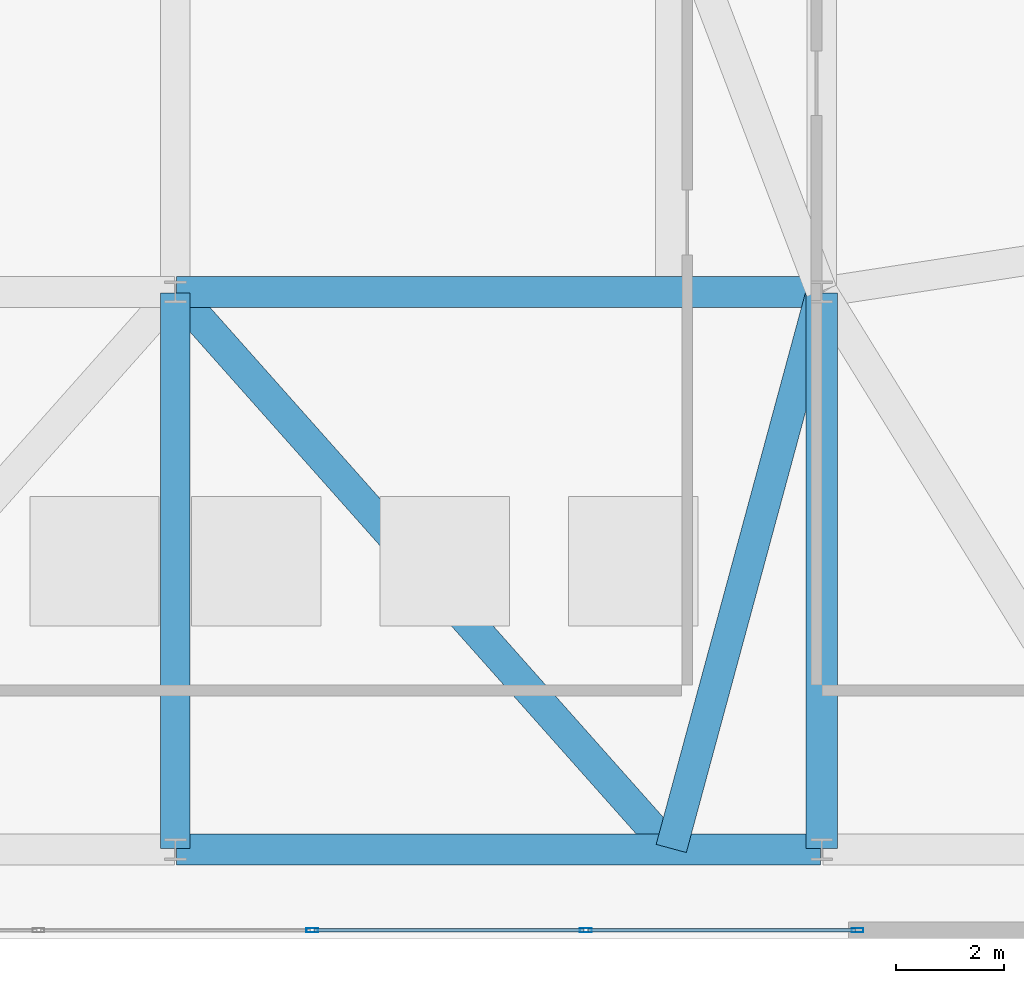
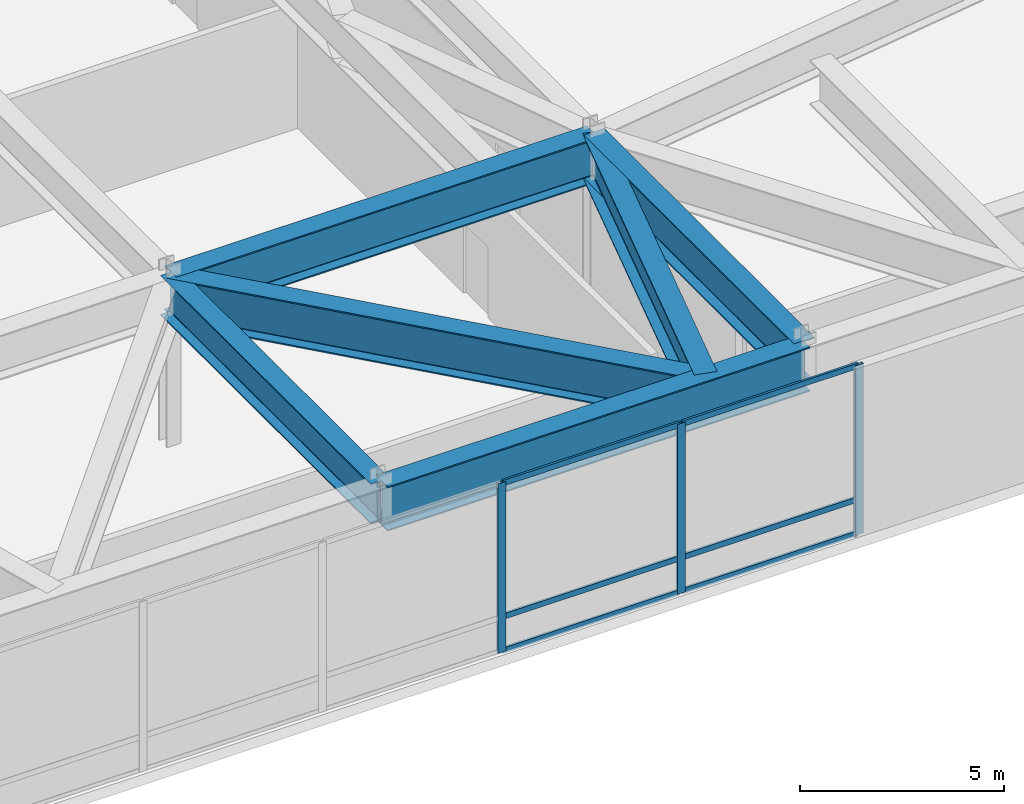
# One storey, part 7 of 16: 9 members, 6 beams, 1 element without a shape of its own.
"""IFC4 building model written with IfcOpenShell, lengths in metres."""

from ifc_helpers import new_model, si_unit, direction, frame, origin, origin_2d, place, context, subcontext, project, spatial, hollow_rectangle, i_section, extrude, source, transform, mapped, material, layer, layer_set, material_profile, profile_set, type_object, type_shapes, element, aggregate, save


model = new_model("IFC4")

# Units and contexts
model_context = context("Model", 3, precision=1e-05, world=origin(), true_north=direction((0.0, 1.0)))
body_context = subcontext(model_context, "Body", "Model", "MODEL_VIEW")
ifc_project = project(units=[si_unit("LENGTHUNIT", "METRE"), si_unit("AREAUNIT", "SQUARE_METRE"), si_unit("VOLUMEUNIT", "CUBIC_METRE"), si_unit("PLANEANGLEUNIT", "RADIAN"), si_unit("MASSUNIT", "GRAM", prefix="KILO")], contexts=[model_context])

# Site, building, storey
site_placement = place(None, origin())
site = spatial("IfcSite", under=ifc_project, at=site_placement, CompositionType="ELEMENT")
building_placement = place(site_placement, origin())
building = spatial("IfcBuilding", under=site, at=building_placement, Name="Varnel Quay Broadcast Tower", CompositionType="ELEMENT")
storey_placement = place(building_placement, frame((0.0, 0.0, 22.199951171875)))
storey = spatial("IfcBuildingStorey", under=building, at=storey_placement, Name="L04", CompositionType="ELEMENT", Elevation=22.199951171875)

# Beams
ifc_material_1 = material(Name="Structural Steel CSA G40.21 350WT", Category="steel")
ifc_material_profile_1 = material_profile(ifc_material_1, i_section(OverallWidth=0.580078125, OverallDepth=1.330078125, WebThickness=0.02197265625, FlangeThickness=0.0380859375, FilletRadius=0.02001953125, at=origin_2d()), Name="WWF1330X535")
ifc_profile_set_1 = profile_set([ifc_material_profile_1], Name="Structural Steel CSA G40.21 350WT")
beam_type_1 = type_object("IfcBeamType", Name="Girder_WWF1330X535", PredefinedType="BEAM", material=ifc_profile_set_1)
shared_shape_1 = source(origin(), body_context, "Body", "SweptSolid", [
    extrude(i_section(OverallWidth=0.580078125, OverallDepth=1.330078125, WebThickness=0.02197265625, FlangeThickness=0.0380859375, FilletRadius=0.02001953125, at=origin_2d()), origin(), (0.0, 0.0, 1.0), 11.9599609375),
])
for number, where, z_axis, x_axis, name in (
    (1, (34.02001953125, 1.64990234375, 4.4150390625), (1.0, 0.0, 0.0), (0.0, 1.0, 0.0), "L04 Primary Transfer Girder TRG-S3"),
    (2, (34.02001953125, 12.0, 4.4150390625), (1.0, 0.0, 0.0), (0.0, 1.0, 0.0), "L04 Primary Transfer Girder TRG-M2"),
):
    element("IfcBeam", number, at=place(storey_placement, frame(where, z_axis=z_axis, x_axis=x_axis)), inside=storey, type_object=beam_type_1, Name=name, PredefinedType="BEAM", context=body_context, shape_type="MappedRepresentation", body=[
        mapped(shared_shape_1, transform((0.0, 0.0, 0.0), x_axis=(1.0, 0.0, 0.0), y_axis=(0.0, 1.0, 0.0), z_axis=(0.0, 0.0, 1.0), scale=1.0)),
    ])
shared_shape_2 = source(origin(), body_context, "Body", "SweptSolid", [
    extrude(i_section(OverallWidth=0.580078125, OverallDepth=1.330078125, WebThickness=0.02197265625, FlangeThickness=0.0380859375, FilletRadius=0.02001953125, at=origin_2d()), origin(), (0.0, 0.0, 1.0), 10.31005859375),
])
beam_1_placement = place(storey_placement, frame((46.0, 1.669921875, 4.4150390625), z_axis=(0.0, 1.0, 0.0), x_axis=(-1.0, 0.0, 0.0)))
element("IfcBeam", 3, at=beam_1_placement, inside=storey, type_object=beam_type_1, Name="L04 Transfer Girder X46-S", PredefinedType="BEAM", context=body_context, shape_type="MappedRepresentation", body=[
    mapped(shared_shape_2, transform((0.0, 0.0, 0.0), x_axis=(1.0, 0.0, 0.0), y_axis=(0.0, 1.0, 0.0), z_axis=(0.0, 0.0, 1.0), scale=1.0)),
])
shared_shape_3 = source(origin(), body_context, "Body", "SweptSolid", [
    extrude(i_section(OverallWidth=0.580078125, OverallDepth=1.330078125, WebThickness=0.02197265625, FlangeThickness=0.0380859375, FilletRadius=0.02001953125, at=origin_2d()), origin(), (0.0, 0.0, 1.0), 10.68212890625),
])
beam_2_placement = place(storey_placement, frame((45.994873046875, 11.980712890625, 4.4150390625), z_axis=(-0.261161725809, -0.965295060058, 0.0), x_axis=(0.965295060058, -0.261161725809, 0.0)))
element("IfcBeam", 4, at=beam_2_placement, inside=storey, type_object=beam_type_1, Name="L04 Nodal Transfer Tie TC-S4-PC-05", PredefinedType="BEAM", context=body_context, shape_type="MappedRepresentation", body=[
    mapped(shared_shape_3, transform((0.0, 0.0, 0.0), x_axis=(1.0, 0.0, 0.0), y_axis=(0.0, 1.0, 0.0), z_axis=(0.0, 0.0, 1.0), scale=1.0)),
])
shared_shape_4 = source(origin(), body_context, "Body", "SweptSolid", [
    extrude(i_section(OverallWidth=0.580078125, OverallDepth=1.330078125, WebThickness=0.02197265625, FlangeThickness=0.0380859375, FilletRadius=0.02001953125, at=origin_2d()), origin(), (0.0, 0.0, 1.0), 13.80810546875),
])
type_shapes(beam_type_1, [shared_shape_1, shared_shape_2, shared_shape_3, shared_shape_4])
beam_3_placement = place(storey_placement, frame((34.01318359375, 11.985107421875, 4.4150390625), z_axis=(0.664362741389, -0.747410294185, 0.0), x_axis=(0.747410294185, 0.664362741389, 0.0)))
element("IfcBeam", 5, at=beam_3_placement, inside=storey, type_object=beam_type_1, Name="L04 Nodal Transfer Tie TC-S4-PC-04B", PredefinedType="BEAM", context=body_context, shape_type="MappedRepresentation", body=[
    mapped(shared_shape_4, transform((0.0, 0.0, 0.0), x_axis=(1.0, 0.0, 0.0), y_axis=(0.0, 1.0, 0.0), z_axis=(0.0, 0.0, 1.0), scale=1.0)),
])
ifc_material_profile_2 = material_profile(ifc_material_1, i_section(OverallWidth=0.550048828125, OverallDepth=1.199951171875, WebThickness=0.02001953125, FlangeThickness=0.034912109375, FilletRadius=0.02001953125, at=origin_2d()), Name="WWF1200X487")
ifc_profile_set_2 = profile_set([ifc_material_profile_2], Name="Structural Steel CSA G40.21 350WT")
beam_type_2 = type_object("IfcBeamType", Name="Girder_WWF1200X487", PredefinedType="BEAM", material=ifc_profile_set_2)
shared_shape_5 = source(origin(), body_context, "Body", "SweptSolid", [
    extrude(i_section(OverallWidth=0.550048828125, OverallDepth=1.199951171875, WebThickness=0.02001953125, FlangeThickness=0.034912109375, FilletRadius=0.02001953125, at=origin_2d()), origin(), (0.0, 0.0, 1.0), 10.31005859375),
])
type_shapes(beam_type_2, [shared_shape_5])
beam_4_placement = place(storey_placement, frame((34.0, 1.669921875, 4.47998046875), z_axis=(0.0, 1.0, 0.0), x_axis=(-1.0, 0.0, 0.0)))
element("IfcBeam", 6, at=beam_4_placement, inside=storey, type_object=beam_type_2, Name="L04 Girder G-M2B", PredefinedType="BEAM", context=body_context, shape_type="MappedRepresentation", body=[
    mapped(shared_shape_5, transform((0.0, 0.0, 0.0), x_axis=(1.0, 0.0, 0.0), y_axis=(0.0, 1.0, 0.0), z_axis=(0.0, 0.0, 1.0), scale=1.0)),
])

# Curtain wall, members
ifc_material_2 = material(Name="Anodised Bronze Aluminium 6063-T6", Category="aluminium")
ifc_layer = layer(ifc_material_2, 0.18994140625, Name="Anodised Bronze Aluminium 6063-T6")
ifc_layer_set = layer_set([ifc_layer], Name="Anodised Bronze Aluminium 6063-T6")
curtain_wall_type = type_object("IfcCurtainWallType", Name="CW_PodiumForum", PredefinedType="NOTDEFINED", material=ifc_layer_set)
curtain_wall_placement = place(storey_placement, origin())
curtain_wall = element("IfcCurtainWall", 7, at=curtain_wall_placement, inside=storey, type_object=curtain_wall_type, Name="L04 Waterfront Forum Curtain Wall", PredefinedType="NOTDEFINED")
ifc_material_profile_3 = material_profile(ifc_material_2, hollow_rectangle(XDim=0.06494140625, YDim=0.1650390625, WallThickness=0.00341796875, at=origin_2d()), Name="ALU65X165X3.5")
ifc_profile_set_3 = profile_set([ifc_material_profile_3], Name="Anodised Bronze Aluminium 6063-T6")
member_type_1 = type_object("IfcMemberType", Name="Tran_CWS-01", PredefinedType="USERDEFINED", material=ifc_profile_set_3)
shared_shape_6 = source(origin(), body_context, "Body", "SweptSolid", [
    extrude(hollow_rectangle(XDim=0.06494140625, YDim=0.1650390625, WallThickness=0.00341796875, at=origin_2d()), origin(), (0.0, 0.0, 1.0), 4.967529296875),
])
member_1_placement = place(storey_placement, frame((41.657470703125, 0.14990234375, 0.032470703125), z_axis=(1.0, 0.0, 0.0), x_axis=(0.0, 1.0, 0.0)))
member_1 = element("IfcMember", 8, at=member_1_placement, type_object=member_type_1, Name="CWS-01 transom 5.1", ObjectType="TRANSOM", PredefinedType="USERDEFINED", context=body_context, shape_type="MappedRepresentation", body=[
    mapped(shared_shape_6, transform((0.0, 0.0, 0.0), x_axis=(1.0, 0.0, 0.0), y_axis=(0.0, 1.0, 0.0), z_axis=(0.0, 0.0, 1.0), scale=1.0)),
])
member_2_placement = place(storey_placement, frame((41.657470703125, 0.14990234375, 1.050048828125), z_axis=(1.0, 0.0, 0.0), x_axis=(0.0, 1.0, 0.0)))
member_2 = element("IfcMember", 9, at=member_2_placement, type_object=member_type_1, Name="CWS-01 transom 5.2", ObjectType="TRANSOM", PredefinedType="USERDEFINED", context=body_context, shape_type="MappedRepresentation", body=[
    mapped(shared_shape_6, transform((0.0, 0.0, 0.0), x_axis=(1.0, 0.0, 0.0), y_axis=(0.0, 1.0, 0.0), z_axis=(0.0, 0.0, 1.0), scale=1.0)),
])
member_3_placement = place(storey_placement, frame((41.657470703125, 0.14990234375, 5.047607421875), z_axis=(1.0, 0.0, 0.0), x_axis=(0.0, 1.0, 0.0)))
member_3 = element("IfcMember", 10, at=member_3_placement, type_object=member_type_1, Name="CWS-01 transom 5.3", ObjectType="TRANSOM", PredefinedType="USERDEFINED", context=body_context, shape_type="MappedRepresentation", body=[
    mapped(shared_shape_6, transform((0.0, 0.0, 0.0), x_axis=(1.0, 0.0, 0.0), y_axis=(0.0, 1.0, 0.0), z_axis=(0.0, 0.0, 1.0), scale=1.0)),
])
shared_shape_7 = source(origin(), body_context, "Body", "SweptSolid", [
    extrude(hollow_rectangle(XDim=0.06494140625, YDim=0.1650390625, WallThickness=0.00341796875, at=origin_2d()), origin(), (0.0, 0.0, 1.0), 5.005126953125),
])
type_shapes(member_type_1, [shared_shape_6, shared_shape_7])
member_4_placement = place(storey_placement, frame((36.577392578125, 0.14990234375, 0.032470703125), z_axis=(1.0, 0.0, 0.0), x_axis=(0.0, 1.0, 0.0)))
member_4 = element("IfcMember", 11, at=member_4_placement, type_object=member_type_1, Name="CWS-01 transom 4.1", ObjectType="TRANSOM", PredefinedType="USERDEFINED", context=body_context, shape_type="MappedRepresentation", body=[
    mapped(shared_shape_7, transform((0.0, 0.0, 0.0), x_axis=(1.0, 0.0, 0.0), y_axis=(0.0, 1.0, 0.0), z_axis=(0.0, 0.0, 1.0), scale=1.0)),
])
member_5_placement = place(storey_placement, frame((36.577392578125, 0.14990234375, 1.050048828125), z_axis=(1.0, 0.0, 0.0), x_axis=(0.0, 1.0, 0.0)))
member_5 = element("IfcMember", 12, at=member_5_placement, type_object=member_type_1, Name="CWS-01 transom 4.2", ObjectType="TRANSOM", PredefinedType="USERDEFINED", context=body_context, shape_type="MappedRepresentation", body=[
    mapped(shared_shape_7, transform((0.0, 0.0, 0.0), x_axis=(1.0, 0.0, 0.0), y_axis=(0.0, 1.0, 0.0), z_axis=(0.0, 0.0, 1.0), scale=1.0)),
])
member_6_placement = place(storey_placement, frame((36.577392578125, 0.14990234375, 5.047607421875), z_axis=(1.0, 0.0, 0.0), x_axis=(0.0, 1.0, 0.0)))
member_6 = element("IfcMember", 13, at=member_6_placement, type_object=member_type_1, Name="CWS-01 transom 4.3", ObjectType="TRANSOM", PredefinedType="USERDEFINED", context=body_context, shape_type="MappedRepresentation", body=[
    mapped(shared_shape_7, transform((0.0, 0.0, 0.0), x_axis=(1.0, 0.0, 0.0), y_axis=(0.0, 1.0, 0.0), z_axis=(0.0, 0.0, 1.0), scale=1.0)),
])
ifc_material_profile_4 = material_profile(ifc_material_2, hollow_rectangle(XDim=0.074951171875, YDim=0.219970703125, WallThickness=0.00390625, at=origin_2d()), Name="ALU75X220X4")
ifc_profile_set_4 = profile_set([ifc_material_profile_4], Name="Anodised Bronze Aluminium 6063-T6")
member_type_2 = type_object("IfcMemberType", Name="Mull_CWS-01", PredefinedType="MULLION", material=ifc_profile_set_4)
shared_shape_8 = source(origin(), body_context, "Body", "SweptSolid", [
    extrude(hollow_rectangle(XDim=0.074951171875, YDim=0.219970703125, WallThickness=0.00390625, at=origin_2d()), origin(), (0.0, 0.0, 1.0), 5.080078125),
])
type_shapes(member_type_2, [shared_shape_8])
member_7_placement = place(storey_placement, frame((36.5400390625, 0.14990234375, 0.0), z_axis=(0.0, 0.0, 1.0), x_axis=(0.0, 1.0, 0.0)))
member_7 = element("IfcMember", 14, at=member_7_placement, type_object=member_type_2, Name="CWS-01 mullion 4", PredefinedType="MULLION", context=body_context, shape_type="MappedRepresentation", body=[
    mapped(shared_shape_8, transform((0.0, 0.0, 0.0), x_axis=(1.0, 0.0, 0.0), y_axis=(0.0, 1.0, 0.0), z_axis=(0.0, 0.0, 1.0), scale=1.0)),
])
member_8_placement = place(storey_placement, frame((41.6201171875, 0.14990234375, 0.0), z_axis=(0.0, 0.0, 1.0), x_axis=(0.0, 1.0, 0.0)))
member_8 = element("IfcMember", 15, at=member_8_placement, type_object=member_type_2, Name="CWS-01 mullion 5", PredefinedType="MULLION", context=body_context, shape_type="MappedRepresentation", body=[
    mapped(shared_shape_8, transform((0.0, 0.0, 0.0), x_axis=(1.0, 0.0, 0.0), y_axis=(0.0, 1.0, 0.0), z_axis=(0.0, 0.0, 1.0), scale=1.0)),
])
member_9_placement = place(storey_placement, frame((46.66259765625, 0.14990234375, 0.0), z_axis=(0.0, 0.0, 1.0), x_axis=(0.0, 1.0, 0.0)))
member_9 = element("IfcMember", 16, at=member_9_placement, type_object=member_type_2, Name="CWS-01 mullion 6", PredefinedType="MULLION", context=body_context, shape_type="MappedRepresentation", body=[
    mapped(shared_shape_8, transform((0.0, 0.0, 0.0), x_axis=(1.0, 0.0, 0.0), y_axis=(0.0, 1.0, 0.0), z_axis=(0.0, 0.0, 1.0), scale=1.0)),
])
aggregate(curtain_wall, [member_7, member_8, member_9, member_4, member_5, member_6, member_1, member_2, member_3])

save(model, "model.ifc")
